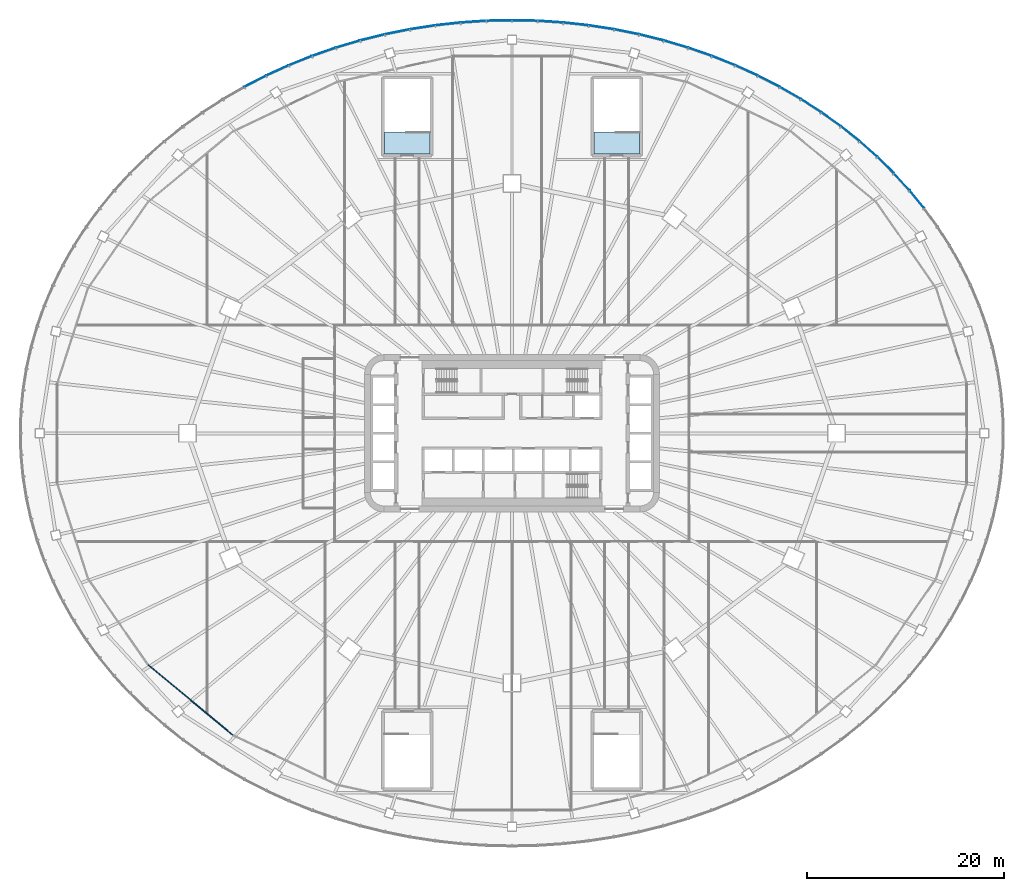
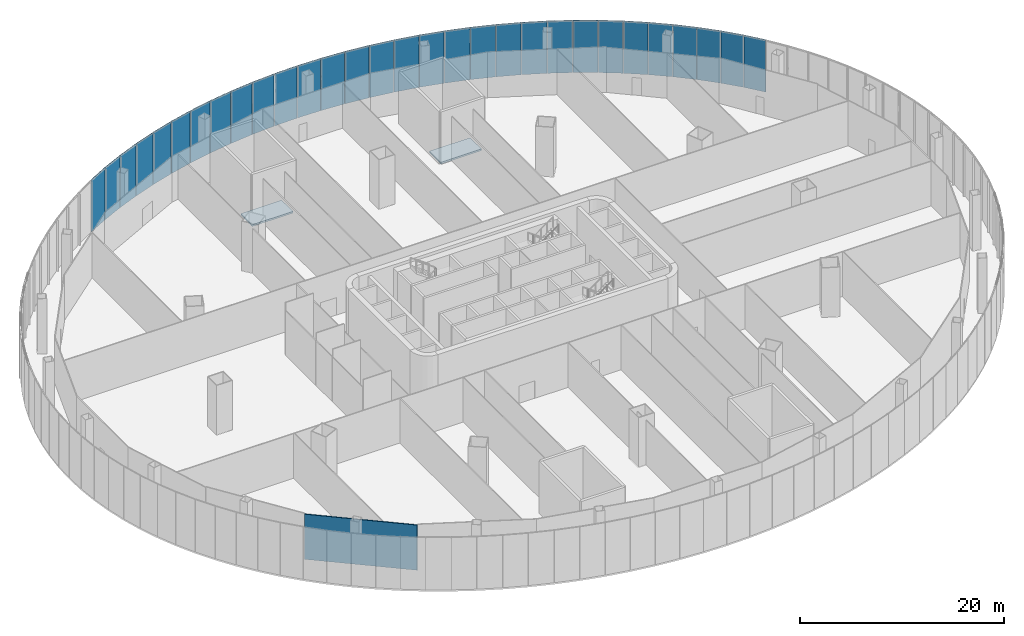
# One storey, part 18 of 33: 30 plates, 2 slabs, 1 wall, 7 elements without a shape of their own.
"""IFC4 building model written with IfcOpenShell, lengths in metres."""

from ifc_helpers import new_model, si_unit, direction, frame, frame_2d, origin, place, context, subcontext, project, spatial, polyline, rectangle, outline, extrude, material, layer, layer_set, type_object, element, aggregate, save


model = new_model("IFC4")

# Units and contexts
model_context = context("Model", 3, precision=1e-05, world=origin(), true_north=direction((0.0, 1.0)))
body_context = subcontext(model_context, "Body", "Model", "MODEL_VIEW")
ifc_project = project(units=[si_unit("LENGTHUNIT", "METRE"), si_unit("AREAUNIT", "SQUARE_METRE"), si_unit("VOLUMEUNIT", "CUBIC_METRE"), si_unit("PLANEANGLEUNIT", "RADIAN"), si_unit("MASSUNIT", "GRAM", prefix="KILO")], contexts=[model_context])

# Site, building, storey
site_placement = place(None, origin())
site = spatial("IfcSite", under=ifc_project, at=site_placement, CompositionType="ELEMENT")
building_placement = place(site_placement, origin())
building = spatial("IfcBuilding", under=site, at=building_placement, Name="Sahrelin Media Tower", CompositionType="ELEMENT")
storey_placement = place(building_placement, frame((0.0, 0.0, 37.39990234375)))
storey = spatial("IfcBuildingStorey", under=building, at=storey_placement, Name="L05", CompositionType="ELEMENT", Elevation=37.39990234375)

# Curtain wall, plates
ifc_material_1 = material(Name="Champagne anodised aluminium 6063-T6", Category="aluminium")
ifc_layer_1 = layer(ifc_material_1, 0.14990234375)
ifc_layer_set_1 = layer_set([ifc_layer_1], Name="Podium ribbon curtain wall")
curtain_wall_type = type_object("IfcCurtainWallType", Name="Podium ribbon curtain wall", PredefinedType="NOTDEFINED", material=ifc_layer_set_1)
curtain_wall_1_placement = place(storey_placement, frame((43.30126953125, 21.0, 0.0), z_axis=(0.0, 0.0, 1.0), x_axis=(1.0, 0.0, 0.0)))
curtain_wall_1 = element("IfcCurtainWall", 1, at=curtain_wall_1_placement, inside=storey, type_object=curtain_wall_type, Name="L05:CW:L05-P02", PredefinedType="NOTDEFINED")
ifc_material_2 = material(Name="Clear low-iron glazing", Category="glass")
ifc_layer_2 = layer(ifc_material_2, 0.050048828125)
ifc_layer_set_2 = layer_set([ifc_layer_2], Name="Glazing panel 50 mm CW5")
plate_type = type_object("IfcPlateType", Name="Glazing panel 50 mm CW5", PredefinedType="CURTAIN_PANEL", material=ifc_layer_set_2)
plate_1_placement = place(storey_placement, frame((41.917236328125, 22.92626953125, 0.0), z_axis=(0.773971540698, 0.633220383586, 0.0), x_axis=(-0.633220383586, 0.773971540698, 0.0)))
plate_1 = element("IfcPlate", 2, at=plate_1_placement, type_object=plate_type, Name="L05:CWP2a:L05-P02", PredefinedType="CURTAIN_PANEL", context=body_context, shape_type="SweptSolid", body=[
    extrude(outline(polyline([(0.0, 0.0), (2.291259765625, 0.0), (2.291259765625, 6.25), (0.0, 6.25), (0.0, 0.0)])), origin(), (0.0, 0.0, -1.0), 0.050048828125),
])
plate_2_placement = place(storey_placement, frame((40.431884765625, 24.7373046875, 0.0), z_axis=(0.738366649953, 0.674399503438, 0.0), x_axis=(-0.674399503438, 0.738366649953, 0.0)))
plate_2 = element("IfcPlate", 3, at=plate_2_placement, type_object=plate_type, Name="L05:CWP3a:L05-P02", PredefinedType="CURTAIN_PANEL", context=body_context, shape_type="SweptSolid", body=[
    extrude(outline(polyline([(0.0, 0.0), (2.31298828125, 0.0), (2.31298828125, 6.25), (0.0, 6.25), (0.0, 0.0)])), origin(), (0.0, 0.0, -1.0), 0.050048828125),
])
plate_3_placement = place(storey_placement, frame((38.835693359375, 26.480712890625, 0.0), z_axis=(0.701226778189, 0.712938290142, 0.0), x_axis=(-0.712938290142, 0.701226778189, 0.0)))
plate_3 = element("IfcPlate", 4, at=plate_3_placement, type_object=plate_type, Name="L05:CWP4a:L05-P02", PredefinedType="CURTAIN_PANEL", context=body_context, shape_type="SweptSolid", body=[
    extrude(outline(polyline([(0.0, 0.0), (2.334716796875, 0.0), (2.334716796875, 6.25), (0.0, 6.25), (0.0, 0.0)])), origin(), (0.0, 0.0, -1.0), 0.050048828125),
])
plate_4_placement = place(storey_placement, frame((37.133056640625, 28.151611328125, 0.0), z_axis=(0.662799646717, 0.74879678706, 0.0), x_axis=(-0.74879678706, 0.662799646717, 0.0)))
plate_4 = element("IfcPlate", 5, at=plate_4_placement, type_object=plate_type, Name="L05:CWP5a:L05-P02", PredefinedType="CURTAIN_PANEL", context=body_context, shape_type="SweptSolid", body=[
    extrude(outline(polyline([(0.0, 0.0), (2.356201171875, 0.0), (2.356201171875, 6.25), (0.0, 6.25), (0.0, 0.0)])), origin(), (0.0, 0.0, -1.0), 0.050048828125),
])
aggregate(curtain_wall_1, [plate_1, plate_2, plate_3, plate_4])

curtain_wall_2_placement = place(storey_placement, frame((35.355224609375, 29.698486328125, 0.0), z_axis=(0.0, 0.0, 1.0), x_axis=(1.0, 0.0, 0.0)))
curtain_wall_2 = element("IfcCurtainWall", 6, at=curtain_wall_2_placement, inside=storey, type_object=curtain_wall_type, Name="L05:CW:L05-P03", PredefinedType="NOTDEFINED")
plate_5_placement = place(storey_placement, frame((35.32861328125, 29.745361328125, 0.0), z_axis=(0.62334202437, 0.781949308238, 0.0), x_axis=(-0.781949308238, 0.62334202437, 0.0)))
plate_5 = element("IfcPlate", 7, at=plate_5_placement, type_object=plate_type, Name="L05:CWP1a:L05-P03", PredefinedType="CURTAIN_PANEL", context=body_context, shape_type="SweptSolid", body=[
    extrude(outline(polyline([(0.0, 0.0), (2.378173828125, 0.0), (2.378173828125, 6.25), (0.0, 6.25), (0.0, 0.0)])), origin(), (0.0, 0.0, -1.0), 0.050048828125),
])
plate_6_placement = place(storey_placement, frame((33.427490234375, 31.257568359375, 0.0), z_axis=(0.582969203384, 0.812494250999, 0.0), x_axis=(-0.812494250999, 0.582969203384, 0.0)))
plate_6 = element("IfcPlate", 8, at=plate_6_placement, type_object=plate_type, Name="L05:CWP2a:L05-P03", PredefinedType="CURTAIN_PANEL", context=body_context, shape_type="SweptSolid", body=[
    extrude(outline(polyline([(0.0, 0.0), (2.399658203125, 0.0), (2.399658203125, 6.25), (0.0, 6.25), (0.0, 0.0)])), origin(), (0.0, 0.0, -1.0), 0.050048828125),
])
plate_7_placement = place(storey_placement, frame((31.434814453125, 32.68408203125, 0.0), z_axis=(0.541786842033, 0.840515923585, 0.0), x_axis=(-0.840515923585, 0.541786842033, 0.0)))
plate_7 = element("IfcPlate", 9, at=plate_7_placement, type_object=plate_type, Name="L05:CWP3a:L05-P03", PredefinedType="CURTAIN_PANEL", context=body_context, shape_type="SweptSolid", body=[
    extrude(outline(polyline([(0.0, 0.0), (2.420654296875, 0.0), (2.420654296875, 6.25), (0.0, 6.25), (0.0, 0.0)])), origin(), (0.0, 0.0, -1.0), 0.050048828125),
])
plate_8_placement = place(storey_placement, frame((29.35595703125, 34.02099609375, 0.0), z_axis=(0.499979298005, 0.866037355757, 0.0), x_axis=(-0.866037355757, 0.499979298005, 0.0)))
plate_8 = element("IfcPlate", 10, at=plate_8_placement, type_object=plate_type, Name="L05:CWP4a:L05-P03", PredefinedType="CURTAIN_PANEL", context=body_context, shape_type="SweptSolid", body=[
    extrude(outline(polyline([(0.0, 0.0), (2.44091796875, 0.0), (2.44091796875, 6.25), (0.0, 6.25), (0.0, 0.0)])), origin(), (0.0, 0.0, -1.0), 0.050048828125),
])
plate_9_placement = place(storey_placement, frame((27.19677734375, 35.264892578125, 0.0), z_axis=(0.457661890487, 0.88912630936, 0.0), x_axis=(-0.88912630936, 0.457661890487, 0.0)))
plate_9 = element("IfcPlate", 11, at=plate_9_placement, type_object=plate_type, Name="L05:CWP5a:L05-P03", PredefinedType="CURTAIN_PANEL", context=body_context, shape_type="SweptSolid", body=[
    extrude(outline(polyline([(0.0, 0.0), (2.460205078125, 0.0), (2.460205078125, 6.25), (0.0, 6.25), (0.0, 0.0)])), origin(), (0.0, 0.0, -1.0), 0.050048828125),
])
aggregate(curtain_wall_2, [plate_5, plate_6, plate_7, plate_8, plate_9])

curtain_wall_3_placement = place(storey_placement, frame((25.0, 36.373046875, 0.0), z_axis=(0.0, 0.0, 1.0), x_axis=(1.0, 0.0, 0.0)))
curtain_wall_3 = element("IfcCurtainWall", 12, at=curtain_wall_3_placement, inside=storey, type_object=curtain_wall_type, Name="L05:CW:L05-P04", PredefinedType="NOTDEFINED")
plate_10_placement = place(storey_placement, frame((24.962890625, 36.412109375, 0.0), z_axis=(0.414893598906, 0.909869936632, 0.0), x_axis=(-0.909869936632, 0.414893598906, 0.0)))
plate_10 = element("IfcPlate", 13, at=plate_10_placement, type_object=plate_type, Name="L05:CWP1a:L05-P04", PredefinedType="CURTAIN_PANEL", context=body_context, shape_type="SweptSolid", body=[
    extrude(outline(polyline([(0.0, 0.0), (2.478515625, 0.0), (2.478515625, 6.25), (0.0, 6.25), (0.0, 0.0)])), origin(), (0.0, 0.0, -1.0), 0.050048828125),
])
plate_11_placement = place(storey_placement, frame((22.660400390625, 37.45947265625, 0.0), z_axis=(0.371913588766, 0.928267355071, 0.0), x_axis=(-0.928267355071, 0.371913588766, 0.0)))
plate_11 = element("IfcPlate", 14, at=plate_11_placement, type_object=plate_type, Name="L05:CWP2a:L05-P04", PredefinedType="CURTAIN_PANEL", context=body_context, shape_type="SweptSolid", body=[
    extrude(outline(polyline([(0.0, 0.0), (2.4951171875, 0.0), (2.4951171875, 6.25), (0.0, 6.25), (0.0, 0.0)])), origin(), (0.0, 0.0, -1.0), 0.050048828125),
])
plate_12_placement = place(storey_placement, frame((20.296142578125, 38.404296875, 0.0), z_axis=(0.328599832248, 0.944469242615, 0.0), x_axis=(-0.944469242615, 0.328599832248, 0.0)))
plate_12 = element("IfcPlate", 15, at=plate_12_placement, type_object=plate_type, Name="L05:CWP3a:L05-P04", PredefinedType="CURTAIN_PANEL", context=body_context, shape_type="SweptSolid", body=[
    extrude(outline(polyline([(0.0, 0.0), (2.510498046875, 0.0), (2.510498046875, 6.25), (0.0, 6.25), (0.0, 0.0)])), origin(), (0.0, 0.0, -1.0), 0.050048828125),
])
plate_13_placement = place(storey_placement, frame((17.876220703125, 39.243896484375, 0.0), z_axis=(0.285102349758, 0.958497078849, 0.0), x_axis=(-0.958497078849, 0.285102349758, 0.0)))
plate_13 = element("IfcPlate", 16, at=plate_13_placement, type_object=plate_type, Name="L05:CWP4a:L05-P04", PredefinedType="CURTAIN_PANEL", context=body_context, shape_type="SweptSolid", body=[
    extrude(outline(polyline([(0.0, 0.0), (2.5244140625, 0.0), (2.5244140625, 6.25), (0.0, 6.25), (0.0, 0.0)])), origin(), (0.0, 0.0, -1.0), 0.050048828125),
])
plate_14_placement = place(storey_placement, frame((15.406982421875, 39.975830078125, 0.0), z_axis=(0.241516267963, 0.970396770558, 0.0), x_axis=(-0.970396770558, 0.241516267963, 0.0)))
plate_14 = element("IfcPlate", 17, at=plate_14_placement, type_object=plate_type, Name="L05:CWP5a:L05-P04", PredefinedType="CURTAIN_PANEL", context=body_context, shape_type="SweptSolid", body=[
    extrude(outline(polyline([(0.0, 0.0), (2.536376953125, 0.0), (2.536376953125, 6.25), (0.0, 6.25), (0.0, 0.0)])), origin(), (0.0, 0.0, -1.0), 0.050048828125),
])
aggregate(curtain_wall_3, [plate_10, plate_11, plate_12, plate_13, plate_14])

curtain_wall_4_placement = place(storey_placement, frame((12.94091796875, 40.56884765625, 0.0), z_axis=(0.0, 0.0, 1.0), x_axis=(1.0, 0.0, 0.0)))
curtain_wall_4 = element("IfcCurtainWall", 18, at=curtain_wall_4_placement, inside=storey, type_object=curtain_wall_type, Name="L05:CW:L05-P05", PredefinedType="NOTDEFINED")
plate_15_placement = place(storey_placement, frame((12.89599609375, 40.598388671875, 0.0), z_axis=(0.197682982877, 0.980266003838, 0.0), x_axis=(-0.980266003838, 0.197682982877, 0.0)))
plate_15 = element("IfcPlate", 19, at=plate_15_placement, type_object=plate_type, Name="L05:CWP1a:L05-P05", PredefinedType="CURTAIN_PANEL", context=body_context, shape_type="SweptSolid", body=[
    extrude(outline(polyline([(0.0, 0.0), (2.546630859375, 0.0), (2.546630859375, 6.25), (0.0, 6.25), (0.0, 0.0)])), origin(), (0.0, 0.0, -1.0), 0.050048828125),
])
plate_16_placement = place(storey_placement, frame((10.349365234375, 41.109619140625, 0.0), z_axis=(0.153837616307, 0.988096142999, 0.0), x_axis=(-0.988096142999, 0.153837616307, 0.0)))
plate_16 = element("IfcPlate", 20, at=plate_16_placement, type_object=plate_type, Name="L05:CWP2a:L05-P05", PredefinedType="CURTAIN_PANEL", context=body_context, shape_type="SweptSolid", body=[
    extrude(outline(polyline([(0.0, 0.0), (2.55517578125, 0.0), (2.55517578125, 6.25), (0.0, 6.25), (0.0, 0.0)])), origin(), (0.0, 0.0, -1.0), 0.050048828125),
])
plate_17_placement = place(storey_placement, frame((7.774169921875, 41.50830078125, 0.0), z_axis=(0.109908392122, 0.9939417213, 0.0), x_axis=(-0.9939417213, 0.109908392122, 0.0)))
plate_17 = element("IfcPlate", 21, at=plate_17_placement, type_object=plate_type, Name="L05:CWP3a:L05-P05", PredefinedType="CURTAIN_PANEL", context=body_context, shape_type="SweptSolid", body=[
    extrude(outline(polyline([(0.0, 0.0), (2.561279296875, 0.0), (2.561279296875, 6.25), (0.0, 6.25), (0.0, 0.0)])), origin(), (0.0, 0.0, -1.0), 0.050048828125),
])
plate_18_placement = place(storey_placement, frame((5.177734375, 41.793212890625, 0.0), z_axis=(0.065956789275, 0.997822480178, 0.0), x_axis=(-0.997822480178, 0.065956789275, 0.0)))
plate_18 = element("IfcPlate", 22, at=plate_18_placement, type_object=plate_type, Name="L05:CWP4a:L05-P05", PredefinedType="CURTAIN_PANEL", context=body_context, shape_type="SweptSolid", body=[
    extrude(outline(polyline([(0.0, 0.0), (2.565185546875, 0.0), (2.565185546875, 6.25), (0.0, 6.25), (0.0, 0.0)])), origin(), (0.0, 0.0, -1.0), 0.050048828125),
])
plate_19_placement = place(storey_placement, frame((2.5673828125, 41.96337890625, 0.0), z_axis=(0.022060447041, 0.999756638726, 0.0), x_axis=(-0.999756638726, 0.022060447041, 0.0)))
plate_19 = element("IfcPlate", 23, at=plate_19_placement, type_object=plate_type, Name="L05:CWP5a:L05-P05", PredefinedType="CURTAIN_PANEL", context=body_context, shape_type="SweptSolid", body=[
    extrude(outline(polyline([(0.0, 0.0), (2.567626953125, 0.0), (2.567626953125, 6.25), (0.0, 6.25), (0.0, 0.0)])), origin(), (0.0, 0.0, -1.0), 0.050048828125),
])
aggregate(curtain_wall_4, [plate_15, plate_16, plate_17, plate_18, plate_19])

curtain_wall_5_placement = place(storey_placement, frame((0.0, 42.0, 0.0), z_axis=(0.0, 0.0, 1.0), x_axis=(1.0, 0.0, 0.0)))
curtain_wall_5 = element("IfcCurtainWall", 24, at=curtain_wall_5_placement, inside=storey, type_object=curtain_wall_type, Name="L05:CW:L05-P06", PredefinedType="NOTDEFINED")
plate_20_placement = place(storey_placement, frame((-0.05029296875, 42.018798828125, 0.0), z_axis=(-0.021965404884, 0.999758731389, 0.0), x_axis=(-0.999758731389, -0.021965404884, 0.0)))
plate_20 = element("IfcPlate", 25, at=plate_20_placement, type_object=plate_type, Name="L05:CWP1a:L05-P06", PredefinedType="CURTAIN_PANEL", context=body_context, shape_type="SweptSolid", body=[
    extrude(outline(polyline([(0.0, 0.0), (2.567626953125, 0.0), (2.567626953125, 6.25), (0.0, 6.25), (0.0, 0.0)])), origin(), (0.0, 0.0, -1.0), 0.050048828125),
])
plate_21_placement = place(storey_placement, frame((-2.66796875, 41.958984375, 0.0), z_axis=(-0.065950526052, 0.997822894162, 0.0), x_axis=(-0.997822894162, -0.065950526052, 0.0)))
plate_21 = element("IfcPlate", 26, at=plate_21_placement, type_object=plate_type, Name="L05:CWP2a:L05-P06", PredefinedType="CURTAIN_PANEL", context=body_context, shape_type="SweptSolid", body=[
    extrude(outline(polyline([(0.0, 0.0), (2.5654296875, 0.0), (2.5654296875, 6.25), (0.0, 6.25), (0.0, 0.0)])), origin(), (0.0, 0.0, -1.0), 0.050048828125),
])
plate_22_placement = place(storey_placement, frame((-5.2783203125, 41.7841796875, 0.0), z_axis=(-0.109908392122, 0.9939417213, 0.0), x_axis=(-0.9939417213, -0.109908392122, 0.0)))
plate_22 = element("IfcPlate", 27, at=plate_22_placement, type_object=plate_type, Name="L05:CWP3a:L05-P06", PredefinedType="CURTAIN_PANEL", context=body_context, shape_type="SweptSolid", body=[
    extrude(outline(polyline([(0.0, 0.0), (2.561279296875, 0.0), (2.561279296875, 6.25), (0.0, 6.25), (0.0, 0.0)])), origin(), (0.0, 0.0, -1.0), 0.050048828125),
])
plate_23_placement = place(storey_placement, frame((-7.874267578125, 41.4951171875, 0.0), z_axis=(-0.153852142069, 0.98809388136, 0.0), x_axis=(-0.98809388136, -0.153852142069, 0.0)))
plate_23 = element("IfcPlate", 28, at=plate_23_placement, type_object=plate_type, Name="L05:CWP4a:L05-P06", PredefinedType="CURTAIN_PANEL", context=body_context, shape_type="SweptSolid", body=[
    extrude(outline(polyline([(0.0, 0.0), (2.554931640625, 0.0), (2.554931640625, 6.25), (0.0, 6.25), (0.0, 0.0)])), origin(), (0.0, 0.0, -1.0), 0.050048828125),
])
plate_24_placement = place(storey_placement, frame((-10.448486328125, 41.091796875, 0.0), z_axis=(-0.197664406805, 0.980269749754, 0.0), x_axis=(-0.980269749754, -0.197664406805, 0.0)))
plate_24 = element("IfcPlate", 29, at=plate_24_placement, type_object=plate_type, Name="L05:CWP5a:L05-P06", PredefinedType="CURTAIN_PANEL", context=body_context, shape_type="SweptSolid", body=[
    extrude(outline(polyline([(0.0, 0.0), (2.546875, 0.0), (2.546875, 6.25), (0.0, 6.25), (0.0, 0.0)])), origin(), (0.0, 0.0, -1.0), 0.050048828125),
])
aggregate(curtain_wall_5, [plate_20, plate_21, plate_22, plate_23, plate_24])

curtain_wall_6_placement = place(storey_placement, frame((-12.94091796875, 40.56884765625, 0.0), z_axis=(0.0, 0.0, 1.0), x_axis=(1.0, 0.0, 0.0)))
curtain_wall_6 = element("IfcCurtainWall", 30, at=curtain_wall_6_placement, inside=storey, type_object=curtain_wall_type, Name="L05:CW:L05-P07", PredefinedType="NOTDEFINED")
plate_25_placement = place(storey_placement, frame((-12.994384765625, 40.576171875, 0.0), z_axis=(-0.241425619685, 0.970419326971, 0.0), x_axis=(-0.970419326971, -0.241425619685, 0.0)))
plate_25 = element("IfcPlate", 31, at=plate_25_placement, type_object=plate_type, Name="L05:CWP1a:L05-P07", PredefinedType="CURTAIN_PANEL", context=body_context, shape_type="SweptSolid", body=[
    extrude(outline(polyline([(0.0, 0.0), (2.5361328125, 0.0), (2.5361328125, 6.25), (0.0, 6.25), (0.0, 0.0)])), origin(), (0.0, 0.0, -1.0), 0.050048828125),
])
plate_26_placement = place(storey_placement, frame((-15.50439453125, 39.94921875, 0.0), z_axis=(-0.285102349758, 0.958497078849, 0.0), x_axis=(-0.958497078849, -0.285102349758, 0.0)))
plate_26 = element("IfcPlate", 32, at=plate_26_placement, type_object=plate_type, Name="L05:CWP2a:L05-P07", PredefinedType="CURTAIN_PANEL", context=body_context, shape_type="SweptSolid", body=[
    extrude(outline(polyline([(0.0, 0.0), (2.5244140625, 0.0), (2.5244140625, 6.25), (0.0, 6.25), (0.0, 0.0)])), origin(), (0.0, 0.0, -1.0), 0.050048828125),
])
plate_27_placement = place(storey_placement, frame((-17.97216796875, 39.212890625, 0.0), z_axis=(-0.328656390674, 0.944449562904, 0.0), x_axis=(-0.944449562904, -0.328656390674, 0.0)))
plate_27 = element("IfcPlate", 33, at=plate_27_placement, type_object=plate_type, Name="L05:CWP3a:L05-P07", PredefinedType="CURTAIN_PANEL", context=body_context, shape_type="SweptSolid", body=[
    extrude(outline(polyline([(0.0, 0.0), (2.5107421875, 0.0), (2.5107421875, 6.25), (0.0, 6.25), (0.0, 0.0)])), origin(), (0.0, 0.0, -1.0), 0.050048828125),
])
plate_28_placement = place(storey_placement, frame((-20.390625, 38.368896484375, 0.0), z_axis=(-0.371913588766, 0.928267355071, 0.0), x_axis=(-0.928267355071, -0.371913588766, 0.0)))
plate_28 = element("IfcPlate", 34, at=plate_28_placement, type_object=plate_type, Name="L05:CWP4a:L05-P07", PredefinedType="CURTAIN_PANEL", context=body_context, shape_type="SweptSolid", body=[
    extrude(outline(polyline([(0.0, 0.0), (2.4951171875, 0.0), (2.4951171875, 6.25), (0.0, 6.25), (0.0, 0.0)])), origin(), (0.0, 0.0, -1.0), 0.050048828125),
])
plate_29_placement = place(storey_placement, frame((-22.75341796875, 37.419677734375, 0.0), z_axis=(-0.414930786604, 0.909852978413, 0.0), x_axis=(-0.909852978413, -0.414930786604, 0.0)))
plate_29 = element("IfcPlate", 35, at=plate_29_placement, type_object=plate_type, Name="L05:CWP5a:L05-P07", PredefinedType="CURTAIN_PANEL", context=body_context, shape_type="SweptSolid", body=[
    extrude(outline(polyline([(0.0, 0.0), (2.478271484375, 0.0), (2.478271484375, 6.25), (0.0, 6.25), (0.0, 0.0)])), origin(), (0.0, 0.0, -1.0), 0.050048828125),
])
aggregate(curtain_wall_6, [plate_25, plate_26, plate_27, plate_28, plate_29])

# Curtain wall, plate
curtain_wall_7_placement = place(storey_placement, frame((-25.0, 36.373046875, 0.0), z_axis=(0.0, 0.0, 1.0), x_axis=(1.0, 0.0, 0.0)))
curtain_wall_7 = element("IfcCurtainWall", 36, at=curtain_wall_7_placement, inside=storey, type_object=curtain_wall_type, Name="L05:CW:L05-P08", PredefinedType="NOTDEFINED")
plate_30_placement = place(storey_placement, frame((-25.0537109375, 36.367919921875, 0.0), z_axis=(-0.457661890487, 0.88912630936, 0.0), x_axis=(-0.88912630936, -0.457661890487, 0.0)))
plate_30 = element("IfcPlate", 37, at=plate_30_placement, type_object=plate_type, Name="L05:CWP1a:L05-P08", PredefinedType="CURTAIN_PANEL", context=body_context, shape_type="SweptSolid", body=[
    extrude(outline(polyline([(0.0, 0.0), (2.460205078125, 0.0), (2.460205078125, 6.25), (0.0, 6.25), (0.0, 0.0)])), origin(), (0.0, 0.0, -1.0), 0.050048828125),
])
aggregate(curtain_wall_7, [plate_30])

# Slabs
ifc_material_3 = material(Name="Concrete C40/50", Category="concrete")
ifc_layer_3 = layer(ifc_material_3, 0.199951171875)
ifc_layer_set_3 = layer_set([ifc_layer_3], Name="Stair landing 200")
slab_type = type_object("IfcSlabType", Name="Stair landing 200", PredefinedType="LANDING", material=ifc_layer_set_3)
placement = place(storey_placement, frame((0.0, 0.0, -0.199951171875)))
element("IfcSlab", 38, at=placement, inside=storey, type_object=slab_type, Name="PS1 L05 floor landing", PredefinedType="LANDING", context=body_context, shape_type="SweptSolid", body=[
    extrude(outline(polyline([(12.949951171875, 28.39990234375), (12.949951171875, 30.625), (8.35009765625, 30.625), (8.35009765625, 28.39990234375), (12.949951171875, 28.39990234375)])), origin(), (0.0, 0.0, 1.0), 0.199951171875),
])
element("IfcSlab", 39, at=placement, inside=storey, type_object=slab_type, Name="PS2 L05 floor landing", PredefinedType="LANDING", context=body_context, shape_type="SweptSolid", body=[
    extrude(outline(polyline([(-8.35009765625, 28.39990234375), (-8.35009765625, 30.625), (-12.949951171875, 30.625), (-12.949951171875, 28.39990234375), (-8.35009765625, 28.39990234375)])), origin(), (0.0, 0.0, 1.0), 0.199951171875),
])

# Wall
ifc_material_4 = material(Name="Gypsum board partition")
ifc_layer_4 = layer(ifc_material_4, 0.10009765625)
ifc_layer_set_4 = layer_set([ifc_layer_4], Name="Partition 100")
wall_type = type_object("IfcWallType", Name="Partition 100", PredefinedType="PARTITIONING", material=ifc_layer_set_4)
wall_placement = place(storey_placement, frame((-37.010009765625, -23.528564453125, 0.0), z_axis=(0.0, 0.0, 1.0), x_axis=(0.770046995363, -0.637987166746, 0.0)))
element("IfcWall", 40, at=wall_placement, inside=storey, type_object=wall_type, Name="Wall", PredefinedType="PARTITIONING", context=body_context, shape_type="SweptSolid", body=[
    extrude(rectangle(XDim=11.182861328125, YDim=0.10009765625, at=frame_2d((5.59130859375, 0.0))), origin(), (0.0, 0.0, 1.0), 5.39501953125),
])

save(model, "model.ifc")
